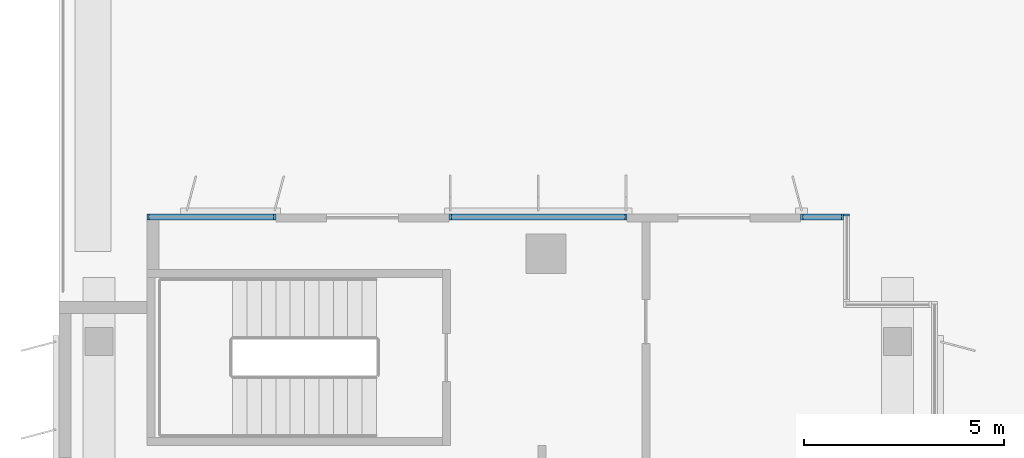
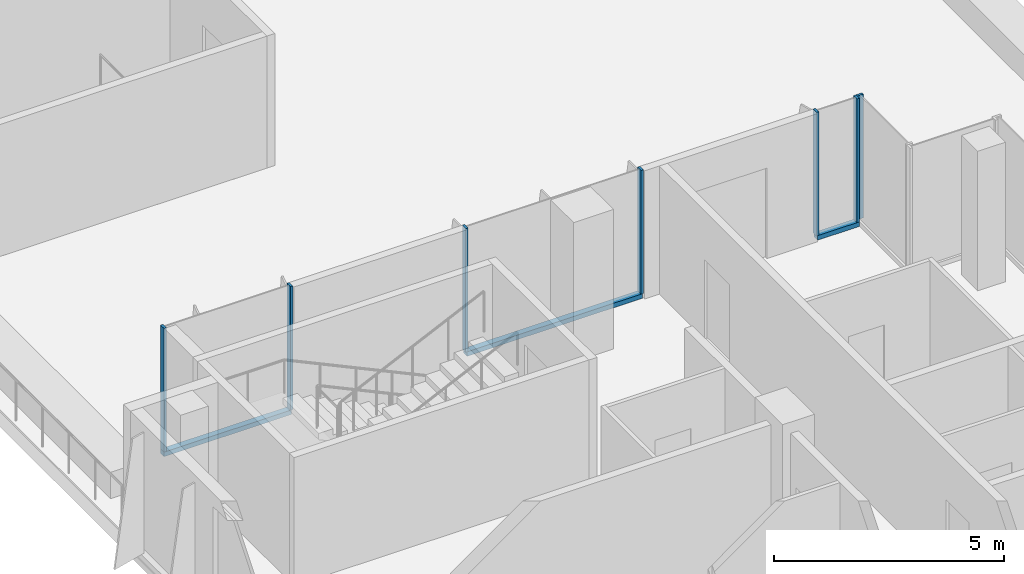
# One storey, part 8 of 22: 10 members, 4 elements without a shape of their own.
"""IFC4 building model written with IfcOpenShell, lengths in metres."""

from ifc_helpers import new_model, si_unit, direction, frame, origin, origin_2d, place, context, subcontext, project, spatial, rectangle, extrude, source, transform, mapped, material, material_profile, profile_set, type_object, element, aggregate, save


model = new_model("IFC4")

# Units and contexts
model_context = context("Model", 3, precision=1e-05, world=origin(), true_north=direction((0.0, 1.0)))
body_context = subcontext(model_context, "Body", "Model", "MODEL_VIEW")
ifc_project = project(units=[si_unit("LENGTHUNIT", "METRE"), si_unit("AREAUNIT", "SQUARE_METRE"), si_unit("VOLUMEUNIT", "CUBIC_METRE"), si_unit("PLANEANGLEUNIT", "RADIAN"), si_unit("MASSUNIT", "GRAM", prefix="KILO")], contexts=[model_context])

# Site, building, storey
site_placement = place(None, origin())
site = spatial("IfcSite", under=ifc_project, at=site_placement, CompositionType="ELEMENT")
building_placement = place(site_placement, origin())
building = spatial("IfcBuilding", under=site, at=building_placement, Name="Kemantara Hotel Tower", CompositionType="ELEMENT")
storey_placement = place(building_placement, frame((0.0, 0.0, 153.10009765625)))
storey = spatial("IfcBuildingStorey", under=building, at=storey_placement, Name="L37", CompositionType="ELEMENT", Elevation=153.10009765625)

# Curtain wall, member
ifc_material_1 = material(Name="Toughened tinted glass 32 mm", Category="glass")
curtain_wall_type = type_object("IfcCurtainWallType", Name="TERRACE GLAZING WALL", PredefinedType="USERDEFINED", material=ifc_material_1)
curtain_wall_1_placement = place(storey_placement, origin())
curtain_wall_1 = element("IfcCurtainWall", 1, at=curtain_wall_1_placement, inside=storey, type_object=curtain_wall_type, Name="CW6 L37 T3-R02-1", ObjectType="TERRACE GLAZING WALL", PredefinedType="USERDEFINED")
ifc_material_2 = material(Name="Aluminium 6063-T6 bronze anodised", Category="aluminium")
ifc_material_profile_1 = material_profile(ifc_material_2, rectangle(XDim=0.14990234375, YDim=0.1201171875, at=origin_2d()), Name="TERRACE GLAZING WALL TRANSOM")
ifc_profile_set_1 = profile_set([ifc_material_profile_1], Name="Aluminium 6063-T6 bronze anodised")
member_type_1 = type_object("IfcMemberType", Name="TERRACE GLAZING WALL TRANSOM", PredefinedType="USERDEFINED", material=ifc_profile_set_1)
member_1_placement = place(storey_placement, frame((19.64990234375, 63.52490234375, 0.059814453125), z_axis=(-1.0, 0.0, 0.0), x_axis=(0.0, -1.0, 0.0)))
member_1 = element("IfcMember", 2, at=member_1_placement, type_object=member_type_1, Name="CW6 sill transom T3-R02-1", ObjectType="TRANSOM", PredefinedType="USERDEFINED", context=body_context, shape_type="SweptSolid", body=[
    extrude(rectangle(XDim=0.14990234375, YDim=0.1201171875, at=origin_2d()), origin(), (0.0, 0.0, 1.0), 1.0498046875),
])

curtain_wall_2_placement = place(storey_placement, origin())
curtain_wall_2 = element("IfcCurtainWall", 3, at=curtain_wall_2_placement, inside=storey, type_object=curtain_wall_type, Name="CW6 L37 T3-R02-2", ObjectType="TERRACE GLAZING WALL", PredefinedType="USERDEFINED")
member_2_placement = place(storey_placement, frame((14.199951171875, 63.52490234375, 0.059814453125), z_axis=(-1.0, 0.0, 0.0), x_axis=(0.0, -1.0, 0.0)))
member_2 = element("IfcMember", 4, at=member_2_placement, type_object=member_type_1, Name="CW6 sill transom T3-R02-2", ObjectType="TRANSOM", PredefinedType="USERDEFINED", context=body_context, shape_type="SweptSolid", body=[
    extrude(rectangle(XDim=0.14990234375, YDim=0.1201171875, at=origin_2d()), origin(), (0.0, 0.0, 1.0), 4.39990234375),
])

curtain_wall_3_placement = place(storey_placement, origin())
curtain_wall_3 = element("IfcCurtainWall", 5, at=curtain_wall_3_placement, inside=storey, type_object=curtain_wall_type, Name="CW6 L37 T3-R02-3", ObjectType="TERRACE GLAZING WALL", PredefinedType="USERDEFINED")
member_3_placement = place(storey_placement, frame((5.39990234375, 63.52490234375, 0.059814453125), z_axis=(-1.0, 0.0, 0.0), x_axis=(0.0, -1.0, 0.0)))
member_3 = element("IfcMember", 6, at=member_3_placement, type_object=member_type_1, Name="CW6 sill transom T3-R02-3", ObjectType="TRANSOM", PredefinedType="USERDEFINED", context=body_context, shape_type="SweptSolid", body=[
    extrude(rectangle(XDim=0.14990234375, YDim=0.1201171875, at=origin_2d()), origin(), (0.0, 0.0, 1.0), 3.199951171875),
])

# Member
ifc_material_profile_2 = material_profile(ifc_material_2, rectangle(XDim=0.14990234375, YDim=0.06005859375, at=origin_2d()), Name="TERRACE GLAZING WALL MULLION")
ifc_profile_set_2 = profile_set([ifc_material_profile_2], Name="Aluminium 6063-T6 bronze anodised")
member_type_2 = type_object("IfcMemberType", Name="TERRACE GLAZING WALL MULLION", PredefinedType="MULLION", material=ifc_profile_set_2)
shared_shape = source(origin(), body_context, "Body", "SweptSolid", [
    extrude(rectangle(XDim=0.14990234375, YDim=0.06005859375, at=origin_2d()), origin(), (0.0, 0.0, 1.0), 3.280029296875),
])
member_4_placement = place(storey_placement, frame((19.6201171875, 63.52490234375, 0.119873046875), z_axis=(0.0, 0.0, 1.0), x_axis=(0.0, -1.0, 0.0)))
member_4 = element("IfcMember", 7, at=member_4_placement, type_object=member_type_2, Name="CW6 mullion T3-R02-1.1", PredefinedType="MULLION", context=body_context, shape_type="MappedRepresentation", body=[
    mapped(shared_shape, transform((0.0, 0.0, 0.0))),
])

member_5_placement = place(storey_placement, frame((18.60009765625, 63.52490234375, 0.119873046875), z_axis=(0.0, 0.0, 1.0), x_axis=(0.0, -1.0, 0.0)))
member_5 = element("IfcMember", 8, at=member_5_placement, type_object=member_type_2, Name="CW6 mullion T3-R02-1.2", PredefinedType="MULLION", context=body_context, shape_type="MappedRepresentation", body=[
    mapped(shared_shape, transform((0.0, 0.0, 0.0))),
])

aggregate(curtain_wall_1, [member_1, member_4, member_5])

member_6_placement = place(storey_placement, frame((14.199951171875, 63.52490234375, 0.119873046875), z_axis=(0.0, 0.0, 1.0), x_axis=(0.0, -1.0, 0.0)))
member_6 = element("IfcMember", 9, at=member_6_placement, type_object=member_type_2, Name="CW6 mullion T3-R02-2.1", PredefinedType="MULLION", context=body_context, shape_type="MappedRepresentation", body=[
    mapped(shared_shape, transform((0.0, 0.0, 0.0))),
])

member_7_placement = place(storey_placement, frame((9.800048828125, 63.52490234375, 0.119873046875), z_axis=(0.0, 0.0, 1.0), x_axis=(0.0, -1.0, 0.0)))
member_7 = element("IfcMember", 10, at=member_7_placement, type_object=member_type_2, Name="CW6 mullion T3-R02-2.2", PredefinedType="MULLION", context=body_context, shape_type="MappedRepresentation", body=[
    mapped(shared_shape, transform((0.0, 0.0, 0.0))),
])

aggregate(curtain_wall_2, [member_2, member_6, member_7])

member_8_placement = place(storey_placement, frame((5.39990234375, 63.52490234375, 0.119873046875), z_axis=(0.0, 0.0, 1.0), x_axis=(0.0, -1.0, 0.0)))
member_8 = element("IfcMember", 11, at=member_8_placement, type_object=member_type_2, Name="CW6 mullion T3-R02-3.1", PredefinedType="MULLION", context=body_context, shape_type="MappedRepresentation", body=[
    mapped(shared_shape, transform((0.0, 0.0, 0.0))),
])

member_9_placement = place(storey_placement, frame((2.22998046875, 63.52490234375, 0.119873046875), z_axis=(0.0, 0.0, 1.0), x_axis=(0.0, -1.0, 0.0)))
member_9 = element("IfcMember", 12, at=member_9_placement, type_object=member_type_2, Name="CW6 mullion T3-R02-3.2", PredefinedType="MULLION", context=body_context, shape_type="MappedRepresentation", body=[
    mapped(shared_shape, transform((0.0, 0.0, 0.0))),
])

aggregate(curtain_wall_3, [member_3, member_8, member_9])

# Curtain wall, member
curtain_wall_4_placement = place(storey_placement, origin())
curtain_wall_4 = element("IfcCurtainWall", 13, at=curtain_wall_4_placement, inside=storey, type_object=curtain_wall_type, Name="CW6 L37 T3-R01-1", ObjectType="TERRACE GLAZING WALL", PredefinedType="USERDEFINED")
member_10_placement = place(storey_placement, frame((19.72509765625, 63.570068359375, 0.119873046875), z_axis=(0.0, 0.0, 1.0), x_axis=(-1.0, 0.0, 0.0)))
member_10 = element("IfcMember", 14, at=member_10_placement, type_object=member_type_2, Name="CW6 mullion T3-R01-1.2", PredefinedType="MULLION", context=body_context, shape_type="MappedRepresentation", body=[
    mapped(shared_shape, transform((0.0, 0.0, 0.0))),
])
aggregate(curtain_wall_4, [member_10])

save(model, "model.ifc")
